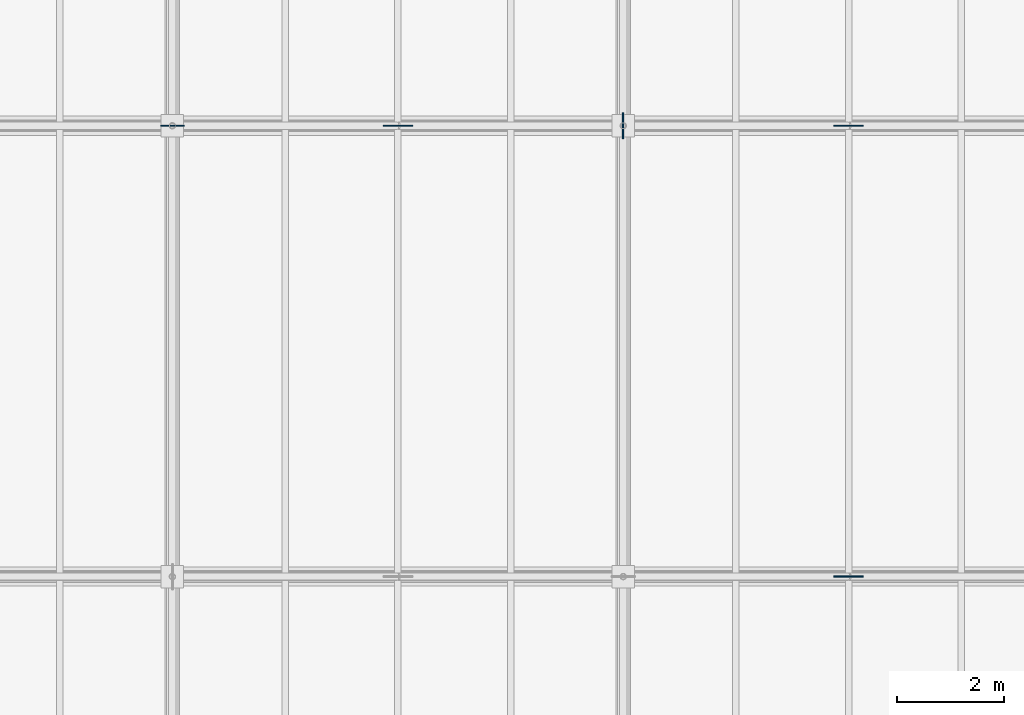
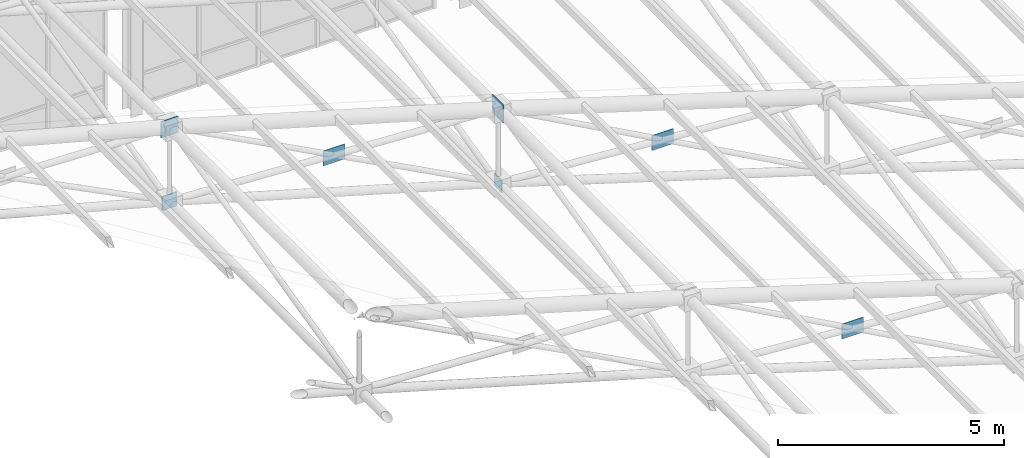
# One storey, part 123 of 144: 7 plates.
"""IFC4 building model written with IfcOpenShell, lengths in metres."""

from ifc_helpers import new_model, si_unit, direction, frame, origin, origin_2d, place, context, subcontext, project, spatial, rectangle, extrude, material, layer, layer_set, type_object, element, save


model = new_model("IFC4")

# Units and contexts
model_context = context("Model", 3, precision=1e-05, world=origin(), true_north=direction((0.0, 1.0)))
body_context = subcontext(model_context, "Body", "Model", "MODEL_VIEW")
ifc_project = project(units=[si_unit("LENGTHUNIT", "METRE"), si_unit("AREAUNIT", "SQUARE_METRE"), si_unit("VOLUMEUNIT", "CUBIC_METRE"), si_unit("PLANEANGLEUNIT", "RADIAN"), si_unit("MASSUNIT", "GRAM", prefix="KILO")], contexts=[model_context])

# Site, building, storey
site_placement = place(None, origin())
site = spatial("IfcSite", under=ifc_project, at=site_placement, CompositionType="ELEMENT")
building_placement = place(site_placement, origin())
building = spatial("IfcBuilding", under=site, at=building_placement, Name="Zayran Congress Hotel", CompositionType="ELEMENT")
storey_placement = place(building_placement, frame((0.0, 0.0, 19.199951171875)))
storey = spatial("IfcBuildingStorey", under=building, at=storey_placement, Name="L04", CompositionType="ELEMENT", Elevation=19.199951171875)

# Plates
ifc_material = material(Name="Steel S355", Category="steel")
ifc_layer_1 = layer(ifc_material, 0.02490234375)
ifc_layer_set_1 = layer_set([ifc_layer_1], Name="Steel S355")
plate_type_1 = type_object("IfcPlateType", Name="TP-SN-CP1", PredefinedType="USERDEFINED", material=ifc_layer_set_1)
plate_1_placement = place(storey_placement, frame((58.800048828125, 101.199951171875, 12.132080078125), z_axis=(0.0, 0.0, 1.0), x_axis=(1.0, 0.0, 0.0)))
element("IfcPlate", 1, at=plate_1_placement, inside=storey, type_object=plate_type_1, Name="Space Frame Node Cap Plate 47", ObjectType="GUSSET_PLATE", PredefinedType="USERDEFINED", context=body_context, shape_type="SweptSolid", body=[
    extrude(rectangle(XDim=0.43994140625, YDim=0.02490234375, at=origin_2d()), origin(), (0.0, 0.0, 1.0), 0.43994140625),
])
ifc_layer_2 = layer(ifc_material, 0.02490234375)
ifc_layer_set_2 = layer_set([ifc_layer_2], Name="Steel S355")
plate_type_2 = type_object("IfcPlateType", Name="TP-SN-CP2", PredefinedType="USERDEFINED", material=ifc_layer_set_2)
plate_2_placement = place(storey_placement, frame((58.800048828125, 101.199951171875, 10.16015625), z_axis=(0.0, 0.0, 1.0), x_axis=(1.0, 0.0, 0.0)))
element("IfcPlate", 2, at=plate_2_placement, inside=storey, type_object=plate_type_2, Name="Space Frame Node Cap Plate 124", ObjectType="GUSSET_PLATE", PredefinedType="USERDEFINED", context=body_context, shape_type="SweptSolid", body=[
    extrude(rectangle(XDim=0.3798828125, YDim=0.02490234375, at=origin_2d()), origin(), (0.0, 0.0, 1.0), 0.3798828125),
])
ifc_layer_3 = layer(ifc_material, 0.02001953125)
ifc_layer_set_3 = layer_set([ifc_layer_3], Name="Steel S355")
plate_type_3 = type_object("IfcPlateType", Name="TP-SN-CP3", PredefinedType="USERDEFINED", material=ifc_layer_set_3)
plate_3_placement = place(storey_placement, frame((67.199951171875, 101.199951171875, 7.72998046875), z_axis=(0.0, 0.0, 1.0), x_axis=(0.0, 1.0, 0.0)))
element("IfcPlate", 3, at=plate_3_placement, inside=storey, type_object=plate_type_3, Name="Space Frame Node Cap Plate 131", ObjectType="GUSSET_PLATE", PredefinedType="USERDEFINED", context=body_context, shape_type="SweptSolid", body=[
    extrude(rectangle(XDim=0.340087890625, YDim=0.02001953125, at=origin_2d()), origin(), (0.0, 0.0, 1.0), 0.340087890625),
])
ifc_layer_4 = layer(ifc_material, 0.028076171875)
ifc_layer_set_4 = layer_set([ifc_layer_4], Name="Steel S355")
plate_type_4 = type_object("IfcPlateType", Name="TP-SN-CP4", PredefinedType="USERDEFINED", material=ifc_layer_set_4)
plate_4_placement = place(storey_placement, frame((67.199951171875, 101.199951171875, 9.662109375), z_axis=(0.0, 0.0, 1.0), x_axis=(0.0, 1.0, 0.0)))
element("IfcPlate", 4, at=plate_4_placement, inside=storey, type_object=plate_type_4, Name="Space Frame Node Cap Plate 54", ObjectType="GUSSET_PLATE", PredefinedType="USERDEFINED", context=body_context, shape_type="SweptSolid", body=[
    extrude(rectangle(XDim=0.47998046875, YDim=0.028076171875, at=origin_2d()), origin(), (0.0, 0.0, 1.0), 0.47998046875),
])
ifc_layer_5 = layer(ifc_material, 0.02490234375)
ifc_layer_set_5 = layer_set([ifc_layer_5], Name="Steel S355")
plate_type_5 = type_object("IfcPlateType", Name="TP-GS-01", PredefinedType="USERDEFINED", material=ifc_layer_set_5)
for number, where, z_axis, x_axis, name in (
    (5, (63.0, 101.199951171875, 9.926025390625), (0.0, 0.0, 1.0), (1.0, 0.0, 0.0), "V1 Brace Crossing Gusset Plate 59"),
    (6, (71.39990234375, 92.800048828125, 7.401123046875), (0.0, 0.0, 1.0), (1.0, 0.0, 0.0), "V1 Brace Crossing Gusset Plate 65"),
    (7, (71.39990234375, 101.199951171875, 7.401123046875), (0.0, 0.0, 1.0), (1.0, 0.0, 0.0), "V1 Brace Crossing Gusset Plate 66"),
):
    element("IfcPlate", number, at=place(storey_placement, frame(where, z_axis=z_axis, x_axis=x_axis)), inside=storey, type_object=plate_type_5, Name=name, ObjectType="GUSSET_PLATE", PredefinedType="USERDEFINED", context=body_context, shape_type="SweptSolid", body=[
        extrude(rectangle(XDim=0.550048828125, YDim=0.02490234375, at=origin_2d()), origin(), (0.0, 0.0, 1.0), 0.39990234375),
    ])

save(model, "model.ifc")
